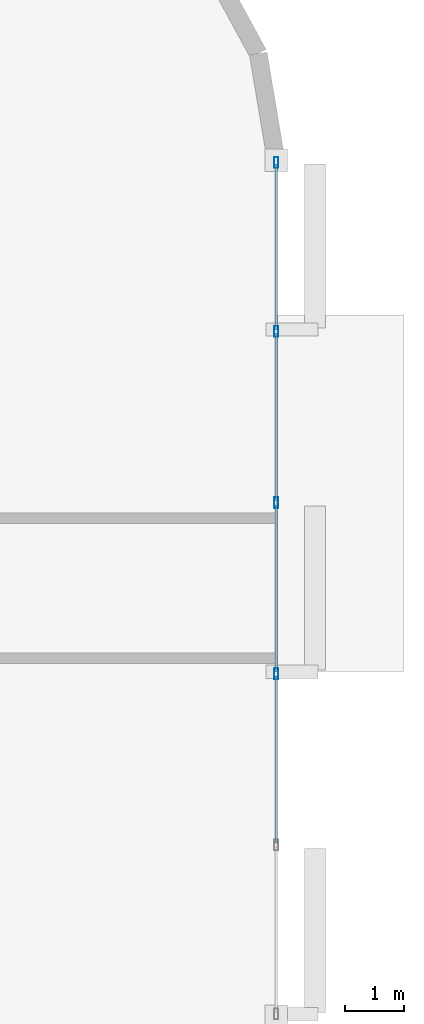
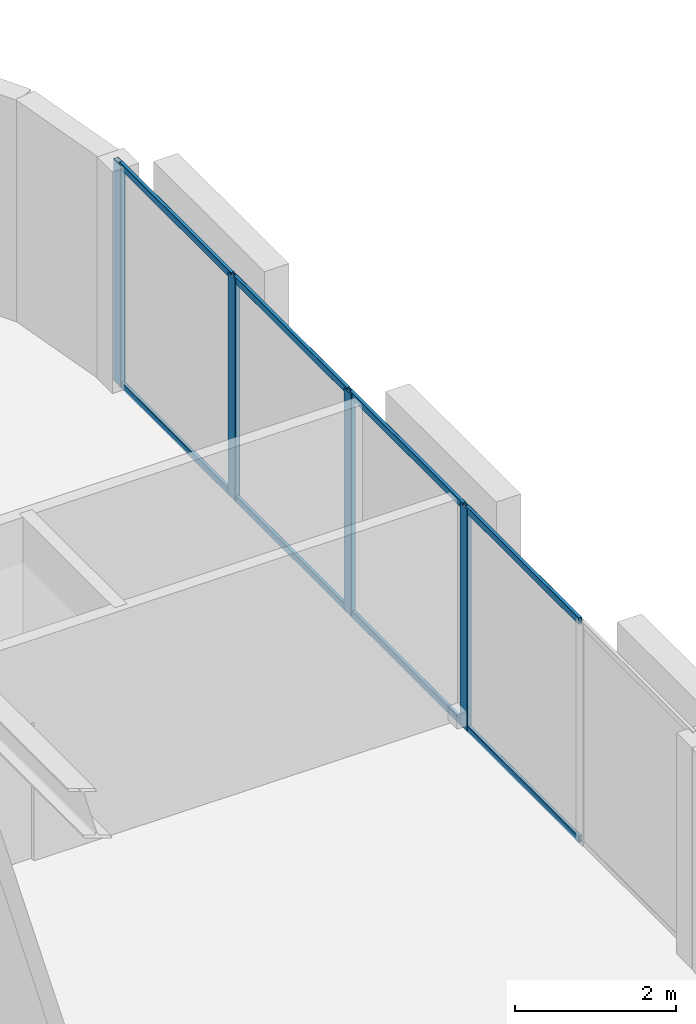
# One storey, part 6 of 15: 12 members, 1 element without a shape of its own.
"""IFC4 building model written with IfcOpenShell, lengths in metres."""

from ifc_helpers import new_model, si_unit, direction, frame, origin, origin_2d, place, context, subcontext, project, spatial, hollow_rectangle, extrude, material, layer, layer_set, material_profile, profile_set, type_object, element, aggregate, save


model = new_model("IFC4")

# Units and contexts
model_context = context("Model", 3, precision=1e-05, world=origin(), true_north=direction((0.0, 1.0)))
body_context = subcontext(model_context, "Body", "Model", "MODEL_VIEW")
ifc_project = project(units=[si_unit("LENGTHUNIT", "METRE"), si_unit("AREAUNIT", "SQUARE_METRE"), si_unit("VOLUMEUNIT", "CUBIC_METRE"), si_unit("PLANEANGLEUNIT", "RADIAN"), si_unit("MASSUNIT", "GRAM", prefix="KILO")], contexts=[model_context])

# Site, building, storey
site_placement = place(None, origin())
site = spatial("IfcSite", under=ifc_project, at=site_placement, CompositionType="ELEMENT")
building_placement = place(site_placement, origin())
building = spatial("IfcBuilding", under=site, at=building_placement, Name="An Khanh Terracotta Commons", CompositionType="ELEMENT")
storey_placement = place(building_placement, frame((0.0, 0.0, 187.0)))
storey = spatial("IfcBuildingStorey", under=building, at=storey_placement, Name="L49", CompositionType="ELEMENT", Elevation=187.0)

# Curtain wall, members
ifc_material = material(Name="Anodised Aluminium 6063-T6", Category="aluminium")
ifc_layer = layer(ifc_material, 0.2099609375, Name="Anodised Aluminium 6063-T6")
ifc_layer_set = layer_set([ifc_layer], Name="Anodised Aluminium 6063-T6")
curtain_wall_type = type_object("IfcCurtainWallType", Name="CW-SYS-03", PredefinedType="USERDEFINED", material=ifc_layer_set)
curtain_wall_placement = place(storey_placement, origin())
curtain_wall = element("IfcCurtainWall", 1, at=curtain_wall_placement, inside=storey, type_object=curtain_wall_type, Name="L49 CW-03 Unitised Curtain Wall CW-L49-12", ObjectType="UNITISED CURTAIN WALL", PredefinedType="USERDEFINED")
ifc_material_profile_1 = material_profile(ifc_material, hollow_rectangle(XDim=0.070068359375, YDim=0.179931640625, WallThickness=0.00390625, InnerFilletRadius=0.00390625, OuterFilletRadius=0.008056640625, at=origin_2d()), Name="RHS180x70x4")
ifc_profile_set_1 = profile_set([ifc_material_profile_1], Name="Anodised Aluminium 6063-T6")
member_type_1 = type_object("IfcMemberType", Name="CWM-RHS180x70x4", PredefinedType="MULLION", material=ifc_profile_set_1)
member_1_placement = place(storey_placement, frame((63.0, 22.56005859375, 0.0), z_axis=(0.0, 0.0, 1.0), x_axis=(-1.0, 0.0, 0.0)))
member_1 = element("IfcMember", 2, at=member_1_placement, type_object=member_type_1, Name="CW-03 mullion 3", PredefinedType="MULLION", context=body_context, shape_type="SweptSolid", body=[
    extrude(hollow_rectangle(XDim=0.070068359375, YDim=0.179931640625, WallThickness=0.00390625, InnerFilletRadius=0.00390625, OuterFilletRadius=0.008056640625, at=origin_2d()), origin(), (0.0, 0.0, 1.0), 3.360107421875),
])
member_2_placement = place(storey_placement, frame((63.0, 25.43994140625, 0.0), z_axis=(0.0, 0.0, 1.0), x_axis=(-1.0, 0.0, 0.0)))
member_2 = element("IfcMember", 3, at=member_2_placement, type_object=member_type_1, Name="CW-03 mullion 4", PredefinedType="MULLION", context=body_context, shape_type="SweptSolid", body=[
    extrude(hollow_rectangle(XDim=0.070068359375, YDim=0.179931640625, WallThickness=0.00390625, InnerFilletRadius=0.00390625, OuterFilletRadius=0.008056640625, at=origin_2d()), origin(), (0.0, 0.0, 1.0), 3.360107421875),
])
member_3_placement = place(storey_placement, frame((63.0, 28.320068359375, 0.0), z_axis=(0.0, 0.0, 1.0), x_axis=(-1.0, 0.0, 0.0)))
member_3 = element("IfcMember", 4, at=member_3_placement, type_object=member_type_1, Name="CW-03 mullion 5", PredefinedType="MULLION", context=body_context, shape_type="SweptSolid", body=[
    extrude(hollow_rectangle(XDim=0.070068359375, YDim=0.179931640625, WallThickness=0.00390625, InnerFilletRadius=0.00390625, OuterFilletRadius=0.008056640625, at=origin_2d()), origin(), (0.0, 0.0, 1.0), 3.360107421875),
])
member_4_placement = place(storey_placement, frame((63.0, 31.1650390625, 0.0), z_axis=(0.0, 0.0, 1.0), x_axis=(-1.0, 0.0, 0.0)))
member_4 = element("IfcMember", 5, at=member_4_placement, type_object=member_type_1, Name="CW-03 mullion 6", PredefinedType="MULLION", context=body_context, shape_type="SweptSolid", body=[
    extrude(hollow_rectangle(XDim=0.070068359375, YDim=0.179931640625, WallThickness=0.00390625, InnerFilletRadius=0.00390625, OuterFilletRadius=0.008056640625, at=origin_2d()), origin(), (0.0, 0.0, 1.0), 3.360107421875),
])
ifc_material_profile_2 = material_profile(ifc_material, hollow_rectangle(XDim=0.050048828125, YDim=0.10009765625, WallThickness=0.003173828125, InnerFilletRadius=0.003173828125, OuterFilletRadius=0.00634765625, at=origin_2d()), Name="RHS100x50x3.2")
ifc_profile_set_2 = profile_set([ifc_material_profile_2], Name="Anodised Aluminium 6063-T6")
member_type_2 = type_object("IfcMemberType", Name="CWT-RHS100x50x3.2", PredefinedType="USERDEFINED", material=ifc_profile_set_2)
member_5_placement = place(storey_placement, frame((63.0, 19.715087890625, 0.02490234375), z_axis=(0.0, 1.0, 0.0), x_axis=(-1.0, 0.0, 0.0)))
member_5 = element("IfcMember", 6, at=member_5_placement, type_object=member_type_2, Name="CW-03 transom 2.1", ObjectType="TRANSOM", PredefinedType="USERDEFINED", context=body_context, shape_type="SweptSolid", body=[
    extrude(hollow_rectangle(XDim=0.050048828125, YDim=0.10009765625, WallThickness=0.003173828125, InnerFilletRadius=0.003173828125, OuterFilletRadius=0.00634765625, at=origin_2d()), origin(), (0.0, 0.0, 1.0), 2.809814453125),
])
member_6_placement = place(storey_placement, frame((63.0, 19.715087890625, 3.3349609375), z_axis=(0.0, 1.0, 0.0), x_axis=(-1.0, 0.0, 0.0)))
member_6 = element("IfcMember", 7, at=member_6_placement, type_object=member_type_2, Name="CW-03 transom 2.2", ObjectType="TRANSOM", PredefinedType="USERDEFINED", context=body_context, shape_type="SweptSolid", body=[
    extrude(hollow_rectangle(XDim=0.050048828125, YDim=0.10009765625, WallThickness=0.003173828125, InnerFilletRadius=0.003173828125, OuterFilletRadius=0.00634765625, at=origin_2d()), origin(), (0.0, 0.0, 1.0), 2.809814453125),
])
member_7_placement = place(storey_placement, frame((63.0, 22.594970703125, 0.02490234375), z_axis=(0.0, 1.0, 0.0), x_axis=(-1.0, 0.0, 0.0)))
member_7 = element("IfcMember", 8, at=member_7_placement, type_object=member_type_2, Name="CW-03 transom 3.1", ObjectType="TRANSOM", PredefinedType="USERDEFINED", context=body_context, shape_type="SweptSolid", body=[
    extrude(hollow_rectangle(XDim=0.050048828125, YDim=0.10009765625, WallThickness=0.003173828125, InnerFilletRadius=0.003173828125, OuterFilletRadius=0.00634765625, at=origin_2d()), origin(), (0.0, 0.0, 1.0), 2.81005859375),
])
member_8_placement = place(storey_placement, frame((63.0, 22.594970703125, 3.3349609375), z_axis=(0.0, 1.0, 0.0), x_axis=(-1.0, 0.0, 0.0)))
member_8 = element("IfcMember", 9, at=member_8_placement, type_object=member_type_2, Name="CW-03 transom 3.2", ObjectType="TRANSOM", PredefinedType="USERDEFINED", context=body_context, shape_type="SweptSolid", body=[
    extrude(hollow_rectangle(XDim=0.050048828125, YDim=0.10009765625, WallThickness=0.003173828125, InnerFilletRadius=0.003173828125, OuterFilletRadius=0.00634765625, at=origin_2d()), origin(), (0.0, 0.0, 1.0), 2.81005859375),
])
member_9_placement = place(storey_placement, frame((63.0, 25.47509765625, 0.02490234375), z_axis=(0.0, 1.0, 0.0), x_axis=(-1.0, 0.0, 0.0)))
member_9 = element("IfcMember", 10, at=member_9_placement, type_object=member_type_2, Name="CW-03 transom 4.1", ObjectType="TRANSOM", PredefinedType="USERDEFINED", context=body_context, shape_type="SweptSolid", body=[
    extrude(hollow_rectangle(XDim=0.050048828125, YDim=0.10009765625, WallThickness=0.003173828125, InnerFilletRadius=0.003173828125, OuterFilletRadius=0.00634765625, at=origin_2d()), origin(), (0.0, 0.0, 1.0), 2.809814453125),
])
member_10_placement = place(storey_placement, frame((63.0, 25.47509765625, 3.3349609375), z_axis=(0.0, 1.0, 0.0), x_axis=(-1.0, 0.0, 0.0)))
member_10 = element("IfcMember", 11, at=member_10_placement, type_object=member_type_2, Name="CW-03 transom 4.2", ObjectType="TRANSOM", PredefinedType="USERDEFINED", context=body_context, shape_type="SweptSolid", body=[
    extrude(hollow_rectangle(XDim=0.050048828125, YDim=0.10009765625, WallThickness=0.003173828125, InnerFilletRadius=0.003173828125, OuterFilletRadius=0.00634765625, at=origin_2d()), origin(), (0.0, 0.0, 1.0), 2.809814453125),
])
member_11_placement = place(storey_placement, frame((63.0, 28.35498046875, 0.02490234375), z_axis=(0.0, 1.0, 0.0), x_axis=(-1.0, 0.0, 0.0)))
member_11 = element("IfcMember", 12, at=member_11_placement, type_object=member_type_2, Name="CW-03 transom 5.1", ObjectType="TRANSOM", PredefinedType="USERDEFINED", context=body_context, shape_type="SweptSolid", body=[
    extrude(hollow_rectangle(XDim=0.050048828125, YDim=0.10009765625, WallThickness=0.003173828125, InnerFilletRadius=0.003173828125, OuterFilletRadius=0.00634765625, at=origin_2d()), origin(), (0.0, 0.0, 1.0), 2.77490234375),
])
member_12_placement = place(storey_placement, frame((63.0, 28.35498046875, 3.3349609375), z_axis=(0.0, 1.0, 0.0), x_axis=(-1.0, 0.0, 0.0)))
member_12 = element("IfcMember", 13, at=member_12_placement, type_object=member_type_2, Name="CW-03 transom 5.2", ObjectType="TRANSOM", PredefinedType="USERDEFINED", context=body_context, shape_type="SweptSolid", body=[
    extrude(hollow_rectangle(XDim=0.050048828125, YDim=0.10009765625, WallThickness=0.003173828125, InnerFilletRadius=0.003173828125, OuterFilletRadius=0.00634765625, at=origin_2d()), origin(), (0.0, 0.0, 1.0), 2.77490234375),
])
aggregate(curtain_wall, [member_1, member_2, member_3, member_4, member_5, member_6, member_7, member_8, member_9, member_10, member_11, member_12])

save(model, "model.ifc")
